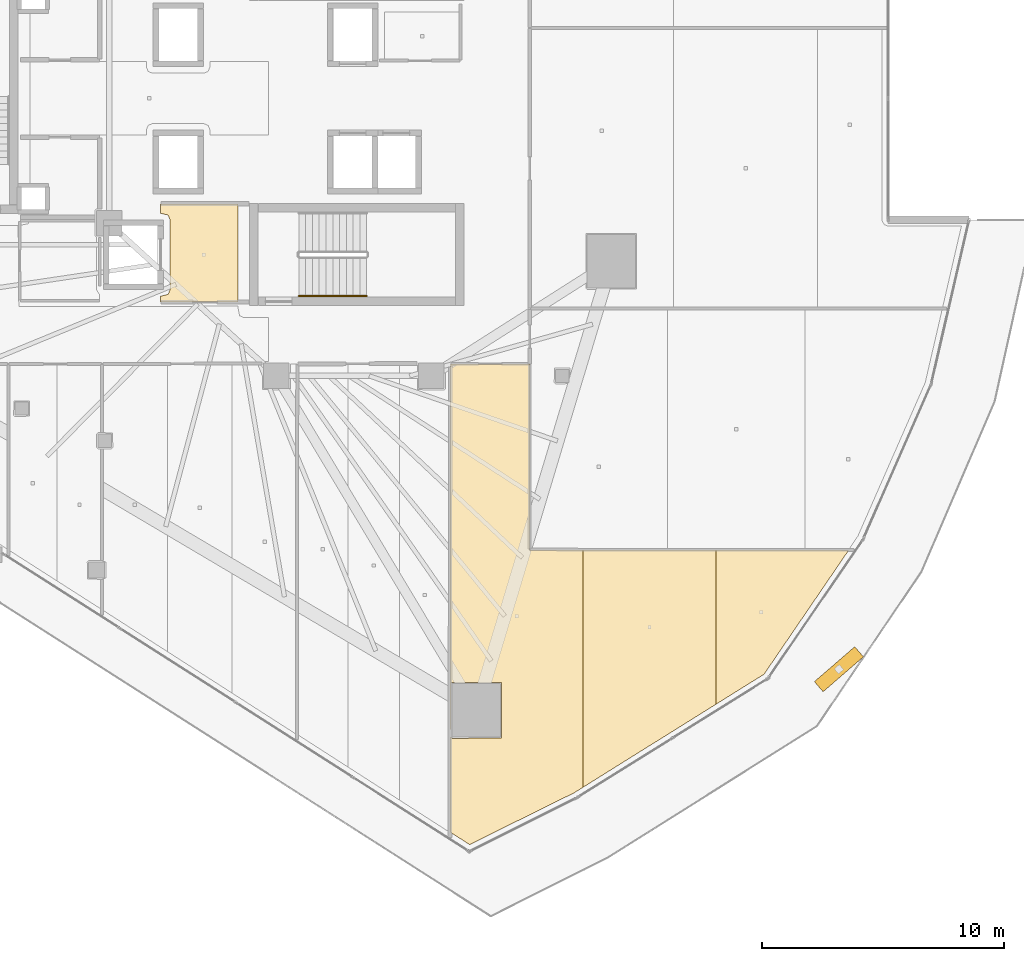
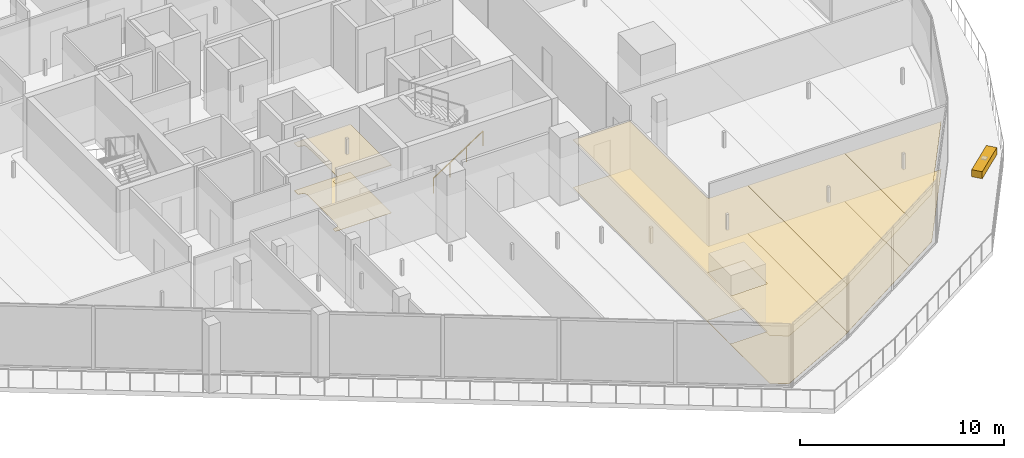
# One storey, part 38 of 44: 8 coverings, 1 railing, 1 shading device.
"""IFC4 building model written with IfcOpenShell, lengths in metres."""

from ifc_helpers import new_model, si_unit, direction, frame, origin, origin_2d, place, context, subcontext, project, spatial, polyline, rectangle, circle, outline, extrude, material, layer, layer_set, type_object, element, save


model = new_model("IFC4")

# Units and contexts
model_context = context("Model", 3, precision=1e-05, world=origin(), true_north=direction((0.0, 1.0)))
body_context = subcontext(model_context, "Body", "Model", "MODEL_VIEW")
ifc_project = project(units=[si_unit("LENGTHUNIT", "METRE"), si_unit("AREAUNIT", "SQUARE_METRE"), si_unit("VOLUMEUNIT", "CUBIC_METRE"), si_unit("PLANEANGLEUNIT", "RADIAN"), si_unit("MASSUNIT", "GRAM", prefix="KILO")], contexts=[model_context])

# Site, building, storey
site_placement = place(None, origin())
site = spatial("IfcSite", under=ifc_project, at=site_placement, CompositionType="ELEMENT")
building_placement = place(site_placement, origin())
building = spatial("IfcBuilding", under=site, at=building_placement, Name="Qorvath Tower", CompositionType="ELEMENT")
storey_placement = place(building_placement, frame((0.0, 0.0, 113.85009765625)))
storey = spatial("IfcBuildingStorey", under=building, at=storey_placement, Name="L25", CompositionType="ELEMENT", Elevation=113.85009765625)

# Coverings
ifc_material_1 = material(Name="Acoustic mineral fibre ceiling tile", Category="gypsum")
ifc_layer_1 = layer(ifc_material_1, 0.030029296875)
ifc_layer_set_1 = layer_set([ifc_layer_1], Name="COV-CEIL")
covering_type_1 = type_object("IfcCoveringType", Name="COV-CEIL", PredefinedType="CEILING", material=ifc_layer_set_1)
covering_1_placement = place(storey_placement, frame((0.0, 0.0, 2.849853515625)))
element("IfcCovering", 1, at=covering_1_placement, inside=storey, type_object=covering_type_1, Name="L25 Suspended Acoustic Ceiling 002", PredefinedType="CEILING", context=body_context, shape_type="SweptSolid", body=[
    extrude(outline(polyline([(-25.18994140625, -8.39501953125), (-25.18994140625, -4.35498046875), (-28.375, -4.35498046875), (-28.375, -4.739990234375), (-28.063232421875, -4.813232421875), (-27.989990234375, -4.989990234375), (-27.989990234375, -7.909912109375), (-28.063232421875, -8.086669921875), (-28.375, -8.159912109375), (-28.375, -8.39501953125), (-25.18994140625, -8.39501953125)])), origin(), (0.0, 0.0, 1.0), 0.030029296875),
])
covering_2_placement = place(storey_placement, frame((0.0, 0.0, 2.849853515625)))
element("IfcCovering", 2, at=covering_2_placement, inside=storey, type_object=covering_type_1, Name="L25 Suspended Acoustic Ceiling 031", PredefinedType="CEILING", context=body_context, shape_type="SweptSolid", body=[
    extrude(outline(polyline([(-16.419677734375, -30.279296875), (-15.62451171875, -30.78759765625), (-11.315673828125, -28.655517578125), (-10.941162109375, -28.421630859375), (-10.941162109375, -18.627197265625), (-13.153564453125, -18.6240234375), (-13.155029296875, -10.962890625), (-16.402099609375, -10.962890625), (-16.419677734375, -30.279296875)]), holes=[polyline([(-16.404296875, -26.34619140625), (-16.38671875, -24.103759765625), (-14.3017578125, -24.103759765625), (-14.3017578125, -26.388427734375), (-16.34423828125, -26.406005859375), (-16.404296875, -26.34619140625)])]), origin(), (0.0, 0.0, 1.0), 0.030029296875),
])
covering_3_placement = place(storey_placement, frame((0.0, 0.0, 2.849853515625)))
element("IfcCovering", 3, at=covering_3_placement, inside=storey, type_object=covering_type_1, Name="L25 Suspended Acoustic Ceiling 032", PredefinedType="CEILING", context=body_context, shape_type="SweptSolid", body=[
    extrude(outline(polyline([(-10.941162109375, -18.627197265625), (-10.941162109375, -28.421630859375), (-5.462646484375, -25.0009765625), (-5.462646484375, -18.635498046875), (-10.941162109375, -18.627197265625)])), origin(), (0.0, 0.0, 1.0), 0.030029296875),
])
covering_4_placement = place(storey_placement, frame((0.0, 0.0, 2.849853515625)))
element("IfcCovering", 4, at=covering_4_placement, inside=storey, type_object=covering_type_1, Name="L25 Suspended Acoustic Ceiling 033", PredefinedType="CEILING", context=body_context, shape_type="SweptSolid", body=[
    extrude(outline(polyline([(-5.462646484375, -18.635498046875), (-5.462646484375, -25.0009765625), (-3.473388671875, -23.759033203125), (0.01611328125, -18.6435546875), (-5.462646484375, -18.635498046875)])), origin(), (0.0, 0.0, 1.0), 0.030029296875),
])
ifc_material_2 = material(Name="Low-VOC modular carpet tile", Category="textile")
ifc_layer_2 = layer(ifc_material_2, 0.014892578125)
ifc_layer_set_2 = layer_set([ifc_layer_2], Name="COV-FLOOR-CPT")
covering_type_2 = type_object("IfcCoveringType", Name="COV-FLOOR-CPT", PredefinedType="FLOORING", material=ifc_layer_set_2)
covering_5_placement = place(storey_placement, origin())
element("IfcCovering", 5, at=covering_5_placement, inside=storey, type_object=covering_type_2, Name="L25 Floor Finish 031", PredefinedType="FLOORING", context=body_context, shape_type="SweptSolid", body=[
    extrude(outline(polyline([(-16.419677734375, -30.279296875), (-15.62451171875, -30.78759765625), (-11.315673828125, -28.655517578125), (-10.941162109375, -28.421630859375), (-10.941162109375, -18.627197265625), (-13.153564453125, -18.6240234375), (-13.155029296875, -10.962890625), (-16.402099609375, -10.962890625), (-16.419677734375, -30.279296875)]), holes=[polyline([(-16.404296875, -26.34619140625), (-16.38671875, -24.103759765625), (-14.3017578125, -24.103759765625), (-14.3017578125, -26.388427734375), (-16.34423828125, -26.406005859375), (-16.404296875, -26.34619140625)])]), origin(), (0.0, 0.0, 1.0), 0.014892578125),
])
covering_6_placement = place(storey_placement, origin())
element("IfcCovering", 6, at=covering_6_placement, inside=storey, type_object=covering_type_2, Name="L25 Floor Finish 032", PredefinedType="FLOORING", context=body_context, shape_type="SweptSolid", body=[
    extrude(outline(polyline([(-10.941162109375, -18.627197265625), (-10.941162109375, -28.421630859375), (-5.462646484375, -25.0009765625), (-5.462646484375, -18.635498046875), (-10.941162109375, -18.627197265625)])), origin(), (0.0, 0.0, 1.0), 0.014892578125),
])
covering_7_placement = place(storey_placement, origin())
element("IfcCovering", 7, at=covering_7_placement, inside=storey, type_object=covering_type_2, Name="L25 Floor Finish 033", PredefinedType="FLOORING", context=body_context, shape_type="SweptSolid", body=[
    extrude(outline(polyline([(-5.462646484375, -18.635498046875), (-5.462646484375, -25.0009765625), (-3.473388671875, -23.759033203125), (0.01611328125, -18.6435546875), (-5.462646484375, -18.635498046875)])), origin(), (0.0, 0.0, 1.0), 0.014892578125),
])
ifc_material_3 = material(Name="Polished epoxy terrazzo flooring", Category="concrete")
ifc_layer_3 = layer(ifc_material_3, 0.02001953125)
ifc_layer_set_3 = layer_set([ifc_layer_3], Name="COV-FLOOR-TRZ")
covering_type_3 = type_object("IfcCoveringType", Name="COV-FLOOR-TRZ", PredefinedType="FLOORING", material=ifc_layer_set_3)
covering_8_placement = place(storey_placement, origin())
element("IfcCovering", 8, at=covering_8_placement, inside=storey, type_object=covering_type_3, Name="L25 Floor Finish 002", PredefinedType="FLOORING", context=body_context, shape_type="SweptSolid", body=[
    extrude(outline(polyline([(-25.18994140625, -8.39501953125), (-25.18994140625, -4.35498046875), (-28.375, -4.35498046875), (-28.375, -4.739990234375), (-28.063232421875, -4.813232421875), (-27.989990234375, -4.989990234375), (-27.989990234375, -7.909912109375), (-28.063232421875, -8.086669921875), (-28.375, -8.159912109375), (-28.375, -8.39501953125), (-25.18994140625, -8.39501953125)])), origin(), (0.0, 0.0, 1.0), 0.014892578125),
])

# Railing
ifc_material_4 = material(Name="Brushed stainless steel AISI 304", Category="steel")
railing_type = type_object("IfcRailingType", Name="RL-STR-HND", PredefinedType="HANDRAIL", material=ifc_material_4)
railing_placement = place(storey_placement, frame((-22.669921875, -8.14990234375, 0.18408203125)))
element("IfcRailing", 9, at=railing_placement, inside=storey, type_object=railing_type, Name="L25 TS2 stair handrail 1", PredefinedType="HANDRAIL", context=body_context, shape_type="SweptSolid", body=[
    extrude(circle(Radius=0.02392578125, at=origin_2d()), frame((0.0, 0.0, 0.8759765625), z_axis=(0.835575518608, 0.0, 0.549375602573), x_axis=(0.0, 1.0, 0.0)), (0.0, 0.0, 1.0), 3.350830078125),
    extrude(circle(Radius=0.02099609375, at=origin_2d()), origin(), (0.0, 0.0, 1.0), 0.851806640625),
    extrude(circle(Radius=0.02099609375, at=origin_2d()), frame((0.933349609375, 0.0, 0.613525390625)), (0.0, 0.0, 1.0), 0.851806640625),
    extrude(circle(Radius=0.02099609375, at=origin_2d()), frame((1.866455078125, 0.0, 1.227294921875)), (0.0, 0.0, 1.0), 0.851806640625),
    extrude(circle(Radius=0.02099609375, at=origin_2d()), frame((2.7998046875, 0.0, 1.8408203125)), (0.0, 0.0, 1.0), 0.851806640625),
])

# Shading device
ifc_material_5 = material(Name="Anodised bronze-champagne aluminium", Category="aluminium")
shading_device_type = type_object("IfcShadingDeviceType", Name="SD-LOUVRE", PredefinedType="JALOUSIE", material=ifc_material_5)
shading_device_placement = place(storey_placement, frame((-0.3857421875, -23.552490234375, 3.35009765625), z_axis=(0.0, 0.0, 1.0), x_axis=(0.755974586491, 0.654600965917, 0.0)))
element("IfcShadingDevice", 10, at=shading_device_placement, inside=storey, type_object=shading_device_type, Name="Sinusoidal Wave Louvre Blade L25-02", PredefinedType="NOTDEFINED", context=body_context, shape_type="SweptSolid", body=[
    extrude(rectangle(XDim=2.199951171875, YDim=0.550048828125, at=origin_2d()), origin(), (0.0, 0.0, 1.0), 0.419921875),
])

save(model, "model.ifc")
